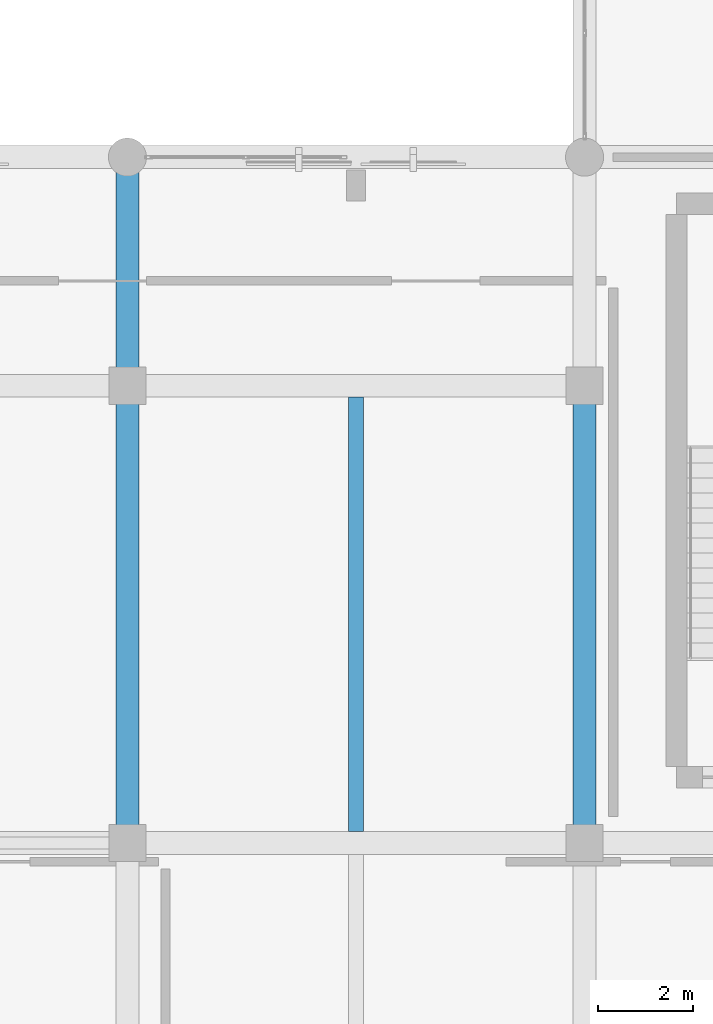
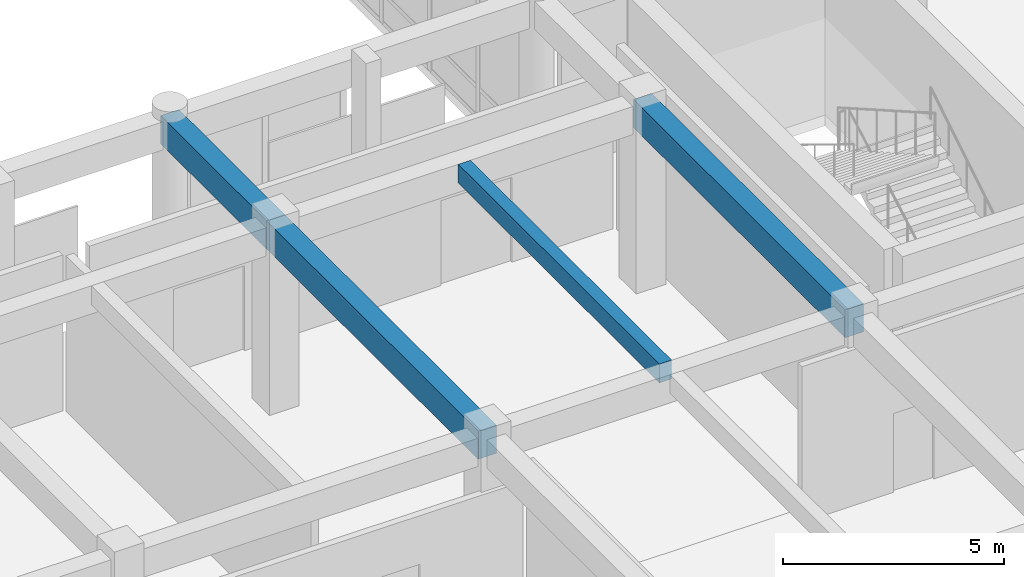
# One storey, part 33 of 134: 4 beams.
"""IFC4 building model written with IfcOpenShell, lengths in metres."""

from ifc_helpers import new_model, si_unit, direction, frame, origin, origin_2d, place, context, subcontext, project, spatial, rectangle, extrude, material, material_profile, profile_set, type_object, element, save


model = new_model("IFC4")

# Units and contexts
model_context = context("Model", 3, precision=1e-05, world=origin(), true_north=direction((0.0, 1.0)))
body_context = subcontext(model_context, "Body", "Model", "MODEL_VIEW")
ifc_project = project(units=[si_unit("LENGTHUNIT", "METRE"), si_unit("AREAUNIT", "SQUARE_METRE"), si_unit("VOLUMEUNIT", "CUBIC_METRE"), si_unit("PLANEANGLEUNIT", "RADIAN"), si_unit("MASSUNIT", "GRAM", prefix="KILO")], contexts=[model_context])

# Site, building, storey
site_placement = place(None, origin())
site = spatial("IfcSite", under=ifc_project, at=site_placement, CompositionType="ELEMENT")
building_placement = place(site_placement, origin())
building = spatial("IfcBuilding", under=site, at=building_placement, Name="Nakhvara Creek Congress Hotel", CompositionType="ELEMENT")
storey_placement = place(building_placement, frame((0.0, 0.0, 6.0)))
storey = spatial("IfcBuildingStorey", under=building, at=storey_placement, Name="L01", CompositionType="ELEMENT", Elevation=6.0)

# Beams
ifc_material = material(Name="Concrete C40/50", Category="concrete")
ifc_material_profile_1 = material_profile(ifc_material, rectangle(XDim=0.320068359375, YDim=0.52001953125, at=origin_2d()), Name="RC-BM 320x520", Category="LoadBearing")
ifc_profile_set_1 = profile_set([ifc_material_profile_1], Name="Concrete C40/50")
beam_type_1 = type_object("IfcBeamType", Name="BM-RC-320X520", PredefinedType="JOIST", material=ifc_profile_set_1)
beam_1_placement = place(storey_placement, frame((120.0, 29.0400390625, 4.840087890625), z_axis=(0.0, 1.0, 0.0), x_axis=(-1.0, 0.0, 0.0)))
element("IfcBeam", 1, at=beam_1_placement, inside=storey, type_object=beam_type_1, Name="Secondary Joist BJ2-L01-1383", PredefinedType="JOIST", context=body_context, shape_type="SweptSolid", body=[
    extrude(rectangle(XDim=0.320068359375, YDim=0.52001953125, at=origin_2d()), origin(), (0.0, 0.0, 1.0), 9.119873046875),
])
ifc_material_profile_2 = material_profile(ifc_material, rectangle(XDim=0.47998046875, YDim=0.780029296875, at=origin_2d()), Name="RC-BM 480x780", Category="LoadBearing")
ifc_profile_set_2 = profile_set([ifc_material_profile_2], Name="Concrete C40/50")
beam_type_2 = type_object("IfcBeamType", Name="BM-RC-480X780", PredefinedType="BEAM", material=ifc_profile_set_2)
beam_2_placement = place(storey_placement, frame((115.199951171875, 28.800048828125, 4.7099609375), z_axis=(0.0, 1.0, 0.0), x_axis=(-1.0, 0.0, 0.0)))
element("IfcBeam", 2, at=beam_2_placement, inside=storey, type_object=beam_type_2, Name="Beam B13-L01-1208", PredefinedType="BEAM", context=body_context, shape_type="SweptSolid", body=[
    extrude(rectangle(XDim=0.47998046875, YDim=0.780029296875, at=origin_2d()), origin(), (0.0, 0.0, 1.0), 9.599853515625),
])
beam_3_placement = place(storey_placement, frame((115.199951171875, 38.39990234375, 4.7099609375), z_axis=(0.0, 1.0, 0.0), x_axis=(-1.0, 0.0, 0.0)))
element("IfcBeam", 3, at=beam_3_placement, inside=storey, type_object=beam_type_2, Name="Beam B13-L01-1210", PredefinedType="BEAM", context=body_context, shape_type="SweptSolid", body=[
    extrude(rectangle(XDim=0.47998046875, YDim=0.780029296875, at=origin_2d()), origin(), (0.0, 0.0, 1.0), 4.800048828125),
])
beam_4_placement = place(storey_placement, frame((124.800048828125, 28.800048828125, 4.7099609375), z_axis=(0.0, 1.0, 0.0), x_axis=(-1.0, 0.0, 0.0)))
element("IfcBeam", 4, at=beam_4_placement, inside=storey, type_object=beam_type_2, Name="Beam B13-L01-1223", PredefinedType="BEAM", context=body_context, shape_type="SweptSolid", body=[
    extrude(rectangle(XDim=0.47998046875, YDim=0.780029296875, at=origin_2d()), origin(), (0.0, 0.0, 1.0), 9.599853515625),
])

save(model, "model.ifc")
